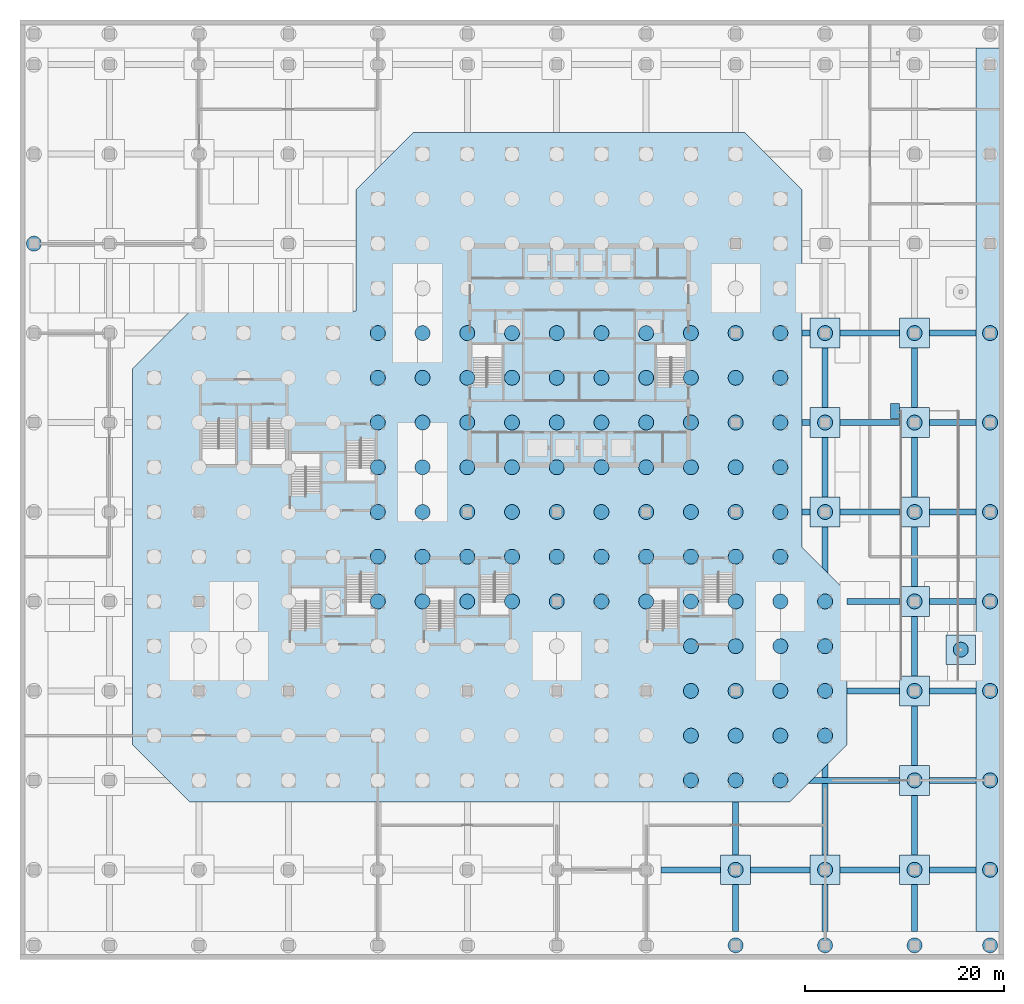
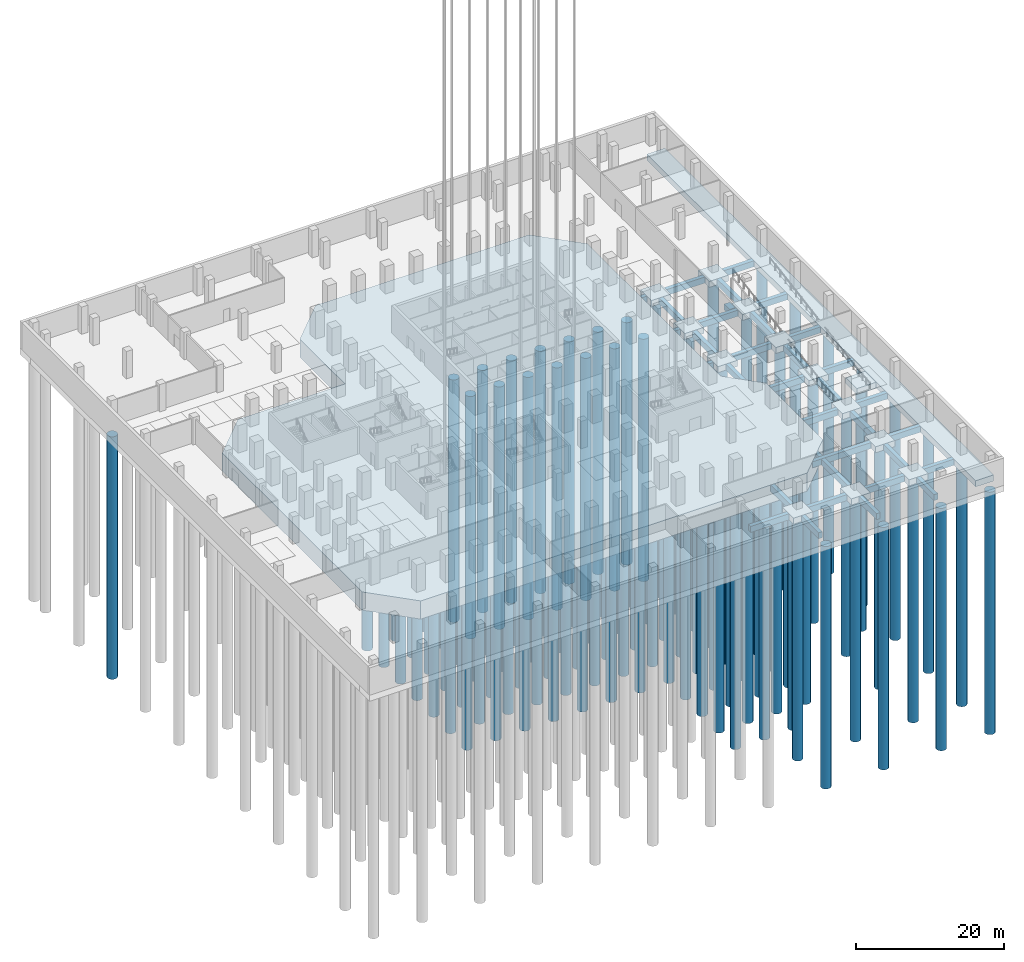
# One storey, part 2 of 37: 111 piles, 50 footings.
"""IFC4 building model written with IfcOpenShell, lengths in metres."""

from ifc_helpers import new_model, si_unit, direction, frame, origin, origin_2d, place, context, subcontext, project, spatial, polyline, rectangle, circle, outline, extrude, material, layer, layer_set, material_profile, profile_set, type_object, element, save


model = new_model("IFC4")

# Units and contexts
model_context = context("Model", 3, precision=1e-05, world=origin(), true_north=direction((0.0, 1.0)))
body_context = subcontext(model_context, "Body", "Model", "MODEL_VIEW")
ifc_project = project(units=[si_unit("LENGTHUNIT", "METRE"), si_unit("AREAUNIT", "SQUARE_METRE"), si_unit("VOLUMEUNIT", "CUBIC_METRE"), si_unit("PLANEANGLEUNIT", "RADIAN"), si_unit("MASSUNIT", "GRAM", prefix="KILO")], contexts=[model_context])

# Site, building, storey
site_placement = place(None, origin())
site = spatial("IfcSite", under=ifc_project, at=site_placement, CompositionType="ELEMENT")
building_placement = place(site_placement, origin())
building = spatial("IfcBuilding", under=site, at=building_placement, Name="Quoin Convention Tower", CompositionType="ELEMENT")
storey_placement = place(building_placement, frame((0.0, 0.0, -9.0)))
storey = spatial("IfcBuildingStorey", under=building, at=storey_placement, Name="B2", CompositionType="ELEMENT", Elevation=-9.0)

# Footings
ifc_material_1 = material(Name="Concrete C50", Category="concrete")
footing_type_1 = type_object("IfcFootingType", Name="PILE CAP 3000x3000x1000 C50", PredefinedType="PILE_CAP", material=ifc_material_1)
for number, where, z_axis, x_axis, name in (
    (1, (72.0, 9.0, -1.39990234375), (0.0, 0.0, 1.0), (1.0, 0.0, 0.0), "ftg-pad-72000_9000"),
    (2, (81.0, 9.0, -1.39990234375), (0.0, 0.0, 1.0), (1.0, 0.0, 0.0), "ftg-pad-81000_9000"),
    (3, (81.0, 45.0, -1.39990234375), (0.0, 0.0, 1.0), (1.0, 0.0, 0.0), "ftg-pad-81000_45000"),
    (4, (81.0, 54.0, -1.39990234375), (0.0, 0.0, 1.0), (1.0, 0.0, 0.0), "ftg-pad-81000_54000"),
    (5, (81.0, 63.0, -1.39990234375), (0.0, 0.0, 1.0), (1.0, 0.0, 0.0), "ftg-pad-81000_63000"),
    (6, (90.0, 9.0, -1.39990234375), (0.0, 0.0, 1.0), (1.0, 0.0, 0.0), "ftg-pad-90000_9000"),
    (7, (90.0, 18.0, -1.39990234375), (0.0, 0.0, 1.0), (1.0, 0.0, 0.0), "ftg-pad-90000_18000"),
    (8, (90.0, 27.0, -1.39990234375), (0.0, 0.0, 1.0), (1.0, 0.0, 0.0), "ftg-pad-90000_27000"),
    (9, (90.0, 36.0, -1.39990234375), (0.0, 0.0, 1.0), (1.0, 0.0, 0.0), "ftg-pad-90000_36000"),
    (10, (90.0, 45.0, -1.39990234375), (0.0, 0.0, 1.0), (1.0, 0.0, 0.0), "ftg-pad-90000_45000"),
    (11, (90.0, 54.0, -1.39990234375), (0.0, 0.0, 1.0), (1.0, 0.0, 0.0), "ftg-pad-90000_54000"),
    (12, (90.0, 63.0, -1.39990234375), (0.0, 0.0, 1.0), (1.0, 0.0, 0.0), "ftg-pad-90000_63000"),
    (13, (94.64990234375, 31.14990234375, -1.39990234375), (0.0, 0.0, 1.0), (1.0, 0.0, 0.0), "ftg-pad-rp2lo"),
):
    element("IfcFooting", number, at=place(storey_placement, frame(where, z_axis=z_axis, x_axis=x_axis)), inside=storey, type_object=footing_type_1, Name=name, PredefinedType="PILE_CAP", context=body_context, shape_type="SweptSolid", body=[
        extrude(rectangle(XDim=3.0, YDim=3.0, at=origin_2d()), origin(), (0.0, 0.0, 1.0), 1.0),
    ])

# Piles
ifc_material_2 = material(Name="Concrete C40", Category="concrete")
ifc_material_profile = material_profile(ifc_material_2, circle(Radius=0.75, at=origin_2d()), Name="D1500")
ifc_profile_set = profile_set([ifc_material_profile], Name="Concrete C40")
pile_type = type_object("IfcPileType", Name="PILE D1500 C40", PredefinedType="BORED", material=ifc_profile_set)
for number, where, z_axis, x_axis, name in (
    (14, (36.0, 36.0, -3.39990234375), (0.0, 0.0, -1.0), (1.0, 0.0, 0.0), "pile-R36000_36000"),
    (15, (36.0, 40.5, -3.39990234375), (0.0, 0.0, -1.0), (1.0, 0.0, 0.0), "pile-R36000_40500"),
    (16, (36.0, 45.0, -3.39990234375), (0.0, 0.0, -1.0), (1.0, 0.0, 0.0), "pile-R36000_45000"),
    (17, (36.0, 49.5, -3.39990234375), (0.0, 0.0, -1.0), (1.0, 0.0, 0.0), "pile-R36000_49500"),
    (18, (36.0, 54.0, -3.39990234375), (0.0, 0.0, -1.0), (1.0, 0.0, 0.0), "pile-R36000_54000"),
    (19, (36.0, 58.5, -3.39990234375), (0.0, 0.0, -1.0), (1.0, 0.0, 0.0), "pile-R36000_58500"),
    (20, (36.0, 63.0, -3.39990234375), (0.0, 0.0, -1.0), (1.0, 0.0, 0.0), "pile-R36000_63000"),
    (21, (40.5, 36.0, -3.39990234375), (0.0, 0.0, -1.0), (1.0, 0.0, 0.0), "pile-R40500_36000"),
    (22, (40.5, 40.5, -3.39990234375), (0.0, 0.0, -1.0), (1.0, 0.0, 0.0), "pile-R40500_40500"),
    (23, (40.5, 45.0, -3.39990234375), (0.0, 0.0, -1.0), (1.0, 0.0, 0.0), "pile-R40500_45000"),
    (24, (40.5, 49.5, -3.39990234375), (0.0, 0.0, -1.0), (1.0, 0.0, 0.0), "pile-R40500_49500"),
    (25, (40.5, 54.0, -3.39990234375), (0.0, 0.0, -1.0), (1.0, 0.0, 0.0), "pile-R40500_54000"),
    (26, (40.5, 58.5, -3.39990234375), (0.0, 0.0, -1.0), (1.0, 0.0, 0.0), "pile-R40500_58500"),
    (27, (40.5, 63.0, -3.39990234375), (0.0, 0.0, -1.0), (1.0, 0.0, 0.0), "pile-R40500_63000"),
    (28, (45.0, 36.0, -3.39990234375), (0.0, 0.0, -1.0), (1.0, 0.0, 0.0), "pile-R45000_36000"),
    (29, (45.0, 40.5, -3.39990234375), (0.0, 0.0, -1.0), (1.0, 0.0, 0.0), "pile-R45000_40500"),
    (30, (45.0, 45.0, -3.39990234375), (0.0, 0.0, -1.0), (1.0, 0.0, 0.0), "pile-R45000_45000"),
    (31, (45.0, 49.5, -3.39990234375), (0.0, 0.0, -1.0), (1.0, 0.0, 0.0), "pile-R45000_49500"),
    (32, (45.0, 54.0, -3.39990234375), (0.0, 0.0, -1.0), (1.0, 0.0, 0.0), "pile-R45000_54000"),
    (33, (45.0, 58.5, -3.39990234375), (0.0, 0.0, -1.0), (1.0, 0.0, 0.0), "pile-R45000_58500"),
    (34, (45.0, 63.0, -3.39990234375), (0.0, 0.0, -1.0), (1.0, 0.0, 0.0), "pile-R45000_63000"),
    (35, (49.5, 36.0, -3.39990234375), (0.0, 0.0, -1.0), (1.0, 0.0, 0.0), "pile-R49500_36000"),
    (36, (49.5, 40.5, -3.39990234375), (0.0, 0.0, -1.0), (1.0, 0.0, 0.0), "pile-R49500_40500"),
    (37, (49.5, 45.0, -3.39990234375), (0.0, 0.0, -1.0), (1.0, 0.0, 0.0), "pile-R49500_45000"),
    (38, (49.5, 49.5, -3.39990234375), (0.0, 0.0, -1.0), (1.0, 0.0, 0.0), "pile-R49500_49500"),
    (39, (49.5, 54.0, -3.39990234375), (0.0, 0.0, -1.0), (1.0, 0.0, 0.0), "pile-R49500_54000"),
    (40, (49.5, 58.5, -3.39990234375), (0.0, 0.0, -1.0), (1.0, 0.0, 0.0), "pile-R49500_58500"),
    (41, (49.5, 63.0, -3.39990234375), (0.0, 0.0, -1.0), (1.0, 0.0, 0.0), "pile-R49500_63000"),
    (42, (54.0, 36.0, -3.39990234375), (0.0, 0.0, -1.0), (1.0, 0.0, 0.0), "pile-R54000_36000"),
    (43, (54.0, 40.5, -3.39990234375), (0.0, 0.0, -1.0), (1.0, 0.0, 0.0), "pile-R54000_40500"),
    (44, (54.0, 45.0, -3.39990234375), (0.0, 0.0, -1.0), (1.0, 0.0, 0.0), "pile-R54000_45000"),
    (45, (54.0, 49.5, -3.39990234375), (0.0, 0.0, -1.0), (1.0, 0.0, 0.0), "pile-R54000_49500"),
    (46, (54.0, 54.0, -3.39990234375), (0.0, 0.0, -1.0), (1.0, 0.0, 0.0), "pile-R54000_54000"),
    (47, (54.0, 58.5, -3.39990234375), (0.0, 0.0, -1.0), (1.0, 0.0, 0.0), "pile-R54000_58500"),
    (48, (54.0, 63.0, -3.39990234375), (0.0, 0.0, -1.0), (1.0, 0.0, 0.0), "pile-R54000_63000"),
    (49, (58.5, 36.0, -3.39990234375), (0.0, 0.0, -1.0), (1.0, 0.0, 0.0), "pile-R58500_36000"),
    (50, (58.5, 40.5, -3.39990234375), (0.0, 0.0, -1.0), (1.0, 0.0, 0.0), "pile-R58500_40500"),
    (51, (58.5, 45.0, -3.39990234375), (0.0, 0.0, -1.0), (1.0, 0.0, 0.0), "pile-R58500_45000"),
    (52, (58.5, 49.5, -3.39990234375), (0.0, 0.0, -1.0), (1.0, 0.0, 0.0), "pile-R58500_49500"),
    (53, (58.5, 54.0, -3.39990234375), (0.0, 0.0, -1.0), (1.0, 0.0, 0.0), "pile-R58500_54000"),
    (54, (58.5, 58.5, -3.39990234375), (0.0, 0.0, -1.0), (1.0, 0.0, 0.0), "pile-R58500_58500"),
    (55, (58.5, 63.0, -3.39990234375), (0.0, 0.0, -1.0), (1.0, 0.0, 0.0), "pile-R58500_63000"),
    (56, (63.0, 36.0, -3.39990234375), (0.0, 0.0, -1.0), (1.0, 0.0, 0.0), "pile-R63000_36000"),
    (57, (63.0, 40.5, -3.39990234375), (0.0, 0.0, -1.0), (1.0, 0.0, 0.0), "pile-R63000_40500"),
    (58, (63.0, 45.0, -3.39990234375), (0.0, 0.0, -1.0), (1.0, 0.0, 0.0), "pile-R63000_45000"),
    (59, (63.0, 49.5, -3.39990234375), (0.0, 0.0, -1.0), (1.0, 0.0, 0.0), "pile-R63000_49500"),
    (60, (63.0, 54.0, -3.39990234375), (0.0, 0.0, -1.0), (1.0, 0.0, 0.0), "pile-R63000_54000"),
    (61, (63.0, 58.5, -3.39990234375), (0.0, 0.0, -1.0), (1.0, 0.0, 0.0), "pile-R63000_58500"),
    (62, (63.0, 63.0, -3.39990234375), (0.0, 0.0, -1.0), (1.0, 0.0, 0.0), "pile-R63000_63000"),
    (63, (67.5, 18.0, -3.39990234375), (0.0, 0.0, -1.0), (1.0, 0.0, 0.0), "pile-R67500_18000"),
    (64, (67.5, 22.5, -3.39990234375), (0.0, 0.0, -1.0), (1.0, 0.0, 0.0), "pile-R67500_22500"),
    (65, (67.5, 27.0, -3.39990234375), (0.0, 0.0, -1.0), (1.0, 0.0, 0.0), "pile-R67500_27000"),
    (66, (67.5, 31.5, -3.39990234375), (0.0, 0.0, -1.0), (1.0, 0.0, 0.0), "pile-R67500_31500"),
    (67, (67.5, 36.0, -3.39990234375), (0.0, 0.0, -1.0), (1.0, 0.0, 0.0), "pile-R67500_36000"),
    (68, (67.5, 40.5, -3.39990234375), (0.0, 0.0, -1.0), (1.0, 0.0, 0.0), "pile-R67500_40500"),
    (69, (67.5, 45.0, -3.39990234375), (0.0, 0.0, -1.0), (1.0, 0.0, 0.0), "pile-R67500_45000"),
    (70, (67.5, 49.5, -3.39990234375), (0.0, 0.0, -1.0), (1.0, 0.0, 0.0), "pile-R67500_49500"),
    (71, (67.5, 54.0, -3.39990234375), (0.0, 0.0, -1.0), (1.0, 0.0, 0.0), "pile-R67500_54000"),
    (72, (67.5, 58.5, -3.39990234375), (0.0, 0.0, -1.0), (1.0, 0.0, 0.0), "pile-R67500_58500"),
    (73, (67.5, 63.0, -3.39990234375), (0.0, 0.0, -1.0), (1.0, 0.0, 0.0), "pile-R67500_63000"),
    (74, (72.0, 18.0, -3.39990234375), (0.0, 0.0, -1.0), (1.0, 0.0, 0.0), "pile-R72000_18000"),
    (75, (72.0, 22.5, -3.39990234375), (0.0, 0.0, -1.0), (1.0, 0.0, 0.0), "pile-R72000_22500"),
    (76, (72.0, 27.0, -3.39990234375), (0.0, 0.0, -1.0), (1.0, 0.0, 0.0), "pile-R72000_27000"),
    (77, (72.0, 31.5, -3.39990234375), (0.0, 0.0, -1.0), (1.0, 0.0, 0.0), "pile-R72000_31500"),
    (78, (72.0, 36.0, -3.39990234375), (0.0, 0.0, -1.0), (1.0, 0.0, 0.0), "pile-R72000_36000"),
    (79, (72.0, 40.5, -3.39990234375), (0.0, 0.0, -1.0), (1.0, 0.0, 0.0), "pile-R72000_40500"),
    (80, (72.0, 45.0, -3.39990234375), (0.0, 0.0, -1.0), (1.0, 0.0, 0.0), "pile-R72000_45000"),
    (81, (72.0, 49.5, -3.39990234375), (0.0, 0.0, -1.0), (1.0, 0.0, 0.0), "pile-R72000_49500"),
    (82, (72.0, 54.0, -3.39990234375), (0.0, 0.0, -1.0), (1.0, 0.0, 0.0), "pile-R72000_54000"),
    (83, (72.0, 58.5, -3.39990234375), (0.0, 0.0, -1.0), (1.0, 0.0, 0.0), "pile-R72000_58500"),
    (84, (72.0, 63.0, -3.39990234375), (0.0, 0.0, -1.0), (1.0, 0.0, 0.0), "pile-R72000_63000"),
    (85, (76.5, 18.0, -3.39990234375), (0.0, 0.0, -1.0), (1.0, 0.0, 0.0), "pile-R76500_18000"),
    (86, (76.5, 22.5, -3.39990234375), (0.0, 0.0, -1.0), (1.0, 0.0, 0.0), "pile-R76500_22500"),
    (87, (76.5, 27.0, -3.39990234375), (0.0, 0.0, -1.0), (1.0, 0.0, 0.0), "pile-R76500_27000"),
    (88, (76.5, 31.5, -3.39990234375), (0.0, 0.0, -1.0), (1.0, 0.0, 0.0), "pile-R76500_31500"),
    (89, (76.5, 36.0, -3.39990234375), (0.0, 0.0, -1.0), (1.0, 0.0, 0.0), "pile-R76500_36000"),
    (90, (76.5, 40.5, -3.39990234375), (0.0, 0.0, -1.0), (1.0, 0.0, 0.0), "pile-R76500_40500"),
    (91, (76.5, 45.0, -3.39990234375), (0.0, 0.0, -1.0), (1.0, 0.0, 0.0), "pile-R76500_45000"),
    (92, (76.5, 49.5, -3.39990234375), (0.0, 0.0, -1.0), (1.0, 0.0, 0.0), "pile-R76500_49500"),
    (93, (76.5, 54.0, -3.39990234375), (0.0, 0.0, -1.0), (1.0, 0.0, 0.0), "pile-R76500_54000"),
    (94, (76.5, 58.5, -3.39990234375), (0.0, 0.0, -1.0), (1.0, 0.0, 0.0), "pile-R76500_58500"),
    (95, (76.5, 63.0, -3.39990234375), (0.0, 0.0, -1.0), (1.0, 0.0, 0.0), "pile-R76500_63000"),
    (96, (81.0, 22.5, -3.39990234375), (0.0, 0.0, -1.0), (1.0, 0.0, 0.0), "pile-R81000_22500"),
    (97, (81.0, 27.0, -3.39990234375), (0.0, 0.0, -1.0), (1.0, 0.0, 0.0), "pile-R81000_27000"),
    (98, (81.0, 31.5, -3.39990234375), (0.0, 0.0, -1.0), (1.0, 0.0, 0.0), "pile-R81000_31500"),
    (99, (81.0, 36.0, -3.39990234375), (0.0, 0.0, -1.0), (1.0, 0.0, 0.0), "pile-R81000_36000"),
    (100, (72.0, 1.39990234375, -1.39990234375), (0.0, 0.0, -1.0), (1.0, 0.0, 0.0), "pile-E72000_1400"),
    (101, (81.0, 1.39990234375, -1.39990234375), (0.0, 0.0, -1.0), (1.0, 0.0, 0.0), "pile-E81000_1400"),
    (102, (90.0, 1.39990234375, -1.39990234375), (0.0, 0.0, -1.0), (1.0, 0.0, 0.0), "pile-E90000_1400"),
    (103, (97.60009765625, 1.39990234375, -1.39990234375), (0.0, 0.0, -1.0), (1.0, 0.0, 0.0), "pile-E97600_1400"),
    (104, (97.60009765625, 9.0, -1.39990234375), (0.0, 0.0, -1.0), (1.0, 0.0, 0.0), "pile-E97600_9000"),
    (105, (97.60009765625, 18.0, -1.39990234375), (0.0, 0.0, -1.0), (1.0, 0.0, 0.0), "pile-E97600_18000"),
    (106, (97.60009765625, 27.0, -1.39990234375), (0.0, 0.0, -1.0), (1.0, 0.0, 0.0), "pile-E97600_27000"),
    (107, (97.60009765625, 36.0, -1.39990234375), (0.0, 0.0, -1.0), (1.0, 0.0, 0.0), "pile-E97600_36000"),
    (108, (97.60009765625, 45.0, -1.39990234375), (0.0, 0.0, -1.0), (1.0, 0.0, 0.0), "pile-E97600_45000"),
    (109, (97.60009765625, 54.0, -1.39990234375), (0.0, 0.0, -1.0), (1.0, 0.0, 0.0), "pile-E97600_54000"),
    (110, (97.60009765625, 63.0, -1.39990234375), (0.0, 0.0, -1.0), (1.0, 0.0, 0.0), "pile-E97600_63000"),
    (111, (1.39990234375, 72.0, -1.39990234375), (0.0, 0.0, -1.0), (1.0, 0.0, 0.0), "pile-E1400_72000"),
    (112, (72.0, 9.0, -1.39990234375), (0.0, 0.0, -1.0), (1.0, 0.0, 0.0), "pile-P72000_9000"),
    (113, (81.0, 9.0, -1.39990234375), (0.0, 0.0, -1.0), (1.0, 0.0, 0.0), "pile-P81000_9000"),
    (114, (81.0, 45.0, -1.39990234375), (0.0, 0.0, -1.0), (1.0, 0.0, 0.0), "pile-P81000_45000"),
    (115, (81.0, 54.0, -1.39990234375), (0.0, 0.0, -1.0), (1.0, 0.0, 0.0), "pile-P81000_54000"),
    (116, (81.0, 63.0, -1.39990234375), (0.0, 0.0, -1.0), (1.0, 0.0, 0.0), "pile-P81000_63000"),
    (117, (90.0, 9.0, -1.39990234375), (0.0, 0.0, -1.0), (1.0, 0.0, 0.0), "pile-P90000_9000"),
    (118, (90.0, 18.0, -1.39990234375), (0.0, 0.0, -1.0), (1.0, 0.0, 0.0), "pile-P90000_18000"),
    (119, (90.0, 27.0, -1.39990234375), (0.0, 0.0, -1.0), (1.0, 0.0, 0.0), "pile-P90000_27000"),
    (120, (90.0, 36.0, -1.39990234375), (0.0, 0.0, -1.0), (1.0, 0.0, 0.0), "pile-P90000_36000"),
    (121, (90.0, 45.0, -1.39990234375), (0.0, 0.0, -1.0), (1.0, 0.0, 0.0), "pile-P90000_45000"),
    (122, (90.0, 54.0, -1.39990234375), (0.0, 0.0, -1.0), (1.0, 0.0, 0.0), "pile-P90000_54000"),
    (123, (90.0, 63.0, -1.39990234375), (0.0, 0.0, -1.0), (1.0, 0.0, 0.0), "pile-P90000_63000"),
    (124, (94.64990234375, 31.14990234375, -1.39990234375), (0.0, 0.0, -1.0), (1.0, 0.0, 0.0), "pile-Prp2lo"),
):
    element("IfcPile", number, at=place(storey_placement, frame(where, z_axis=z_axis, x_axis=x_axis)), inside=storey, type_object=pile_type, Name=name, PredefinedType="BORED", context=body_context, shape_type="SweptSolid", body=[
        extrude(circle(Radius=0.75, at=origin_2d()), origin(), (0.0, 0.0, 1.0), 40.0),
    ])

# Footings
footing_type_2 = type_object("IfcFootingType", Name="POST FOOTING 900x1300x1000 C50", PredefinedType="PILE_CAP", material=ifc_material_1)
footing_1_placement = place(storey_placement, frame((88.050048828125, 55.14990234375, -1.39990234375), z_axis=(0.0, 0.0, 1.0), x_axis=(1.0, 0.0, 0.0)))
element("IfcFooting", 125, at=footing_1_placement, inside=storey, type_object=footing_type_2, Name="ftg-post-rp2hi", PredefinedType="PILE_CAP", context=body_context, shape_type="SweptSolid", body=[
    extrude(rectangle(XDim=0.89990234375, YDim=1.5, at=origin_2d()), origin(), (0.0, 0.0, 1.0), 1.0),
])
ifc_layer_1 = layer(ifc_material_1, 3.0)
ifc_layer_set_1 = layer_set([ifc_layer_1], Name="Concrete C50")
footing_type_3 = type_object("IfcFootingType", Name="RAFT 3000 C50", PredefinedType="PILE_CAP", material=ifc_layer_set_1)
footing_2_placement = place(storey_placement, frame((0.0, 0.0, -3.39990234375)))
element("IfcFooting", 126, at=footing_2_placement, inside=storey, type_object=footing_type_3, Name="ftg-raft", PredefinedType="PILE_CAP", context=body_context, shape_type="SweptSolid", body=[
    extrude(outline(polyline([(11.300048828125, 21.588623046875), (11.300048828125, 59.411376953125), (17.088623046875, 65.199951171875), (33.800048828125, 65.199951171875), (33.800048828125, 77.411376953125), (39.588623046875, 83.199951171875), (72.911376953125, 83.199951171875), (78.699951171875, 77.411376953125), (78.699951171875, 41.411376953125), (83.199951171875, 36.911376953125), (83.199951171875, 21.588623046875), (77.411376953125, 15.800048828125), (17.088623046875, 15.800048828125), (11.300048828125, 21.588623046875)])), origin(), (0.0, 0.0, 1.0), 3.0),
])
ifc_layer_2 = layer(ifc_material_1, 1.0)
ifc_layer_set_2 = layer_set([ifc_layer_2], Name="Concrete C50")
footing_type_4 = type_object("IfcFootingType", Name="STRIP FOOTING 2800 C50", PredefinedType="STRIP_FOOTING", material=ifc_layer_set_2)
footing_3_placement = place(storey_placement, frame((0.0, 0.0, -1.39990234375)))
element("IfcFooting", 127, at=footing_3_placement, inside=storey, type_object=footing_type_4, Name="ftg-strip-E", PredefinedType="STRIP_FOOTING", context=body_context, shape_type="SweptSolid", body=[
    extrude(outline(polyline([(96.199951171875, 2.800048828125), (99.0, 2.800048828125), (99.0, 91.699951171875), (96.199951171875, 91.699951171875), (96.199951171875, 2.800048828125)])), origin(), (0.0, 0.0, 1.0), 1.0),
])
ifc_layer_3 = layer(ifc_material_1, 1.0)
ifc_layer_set_3 = layer_set([ifc_layer_3], Name="Concrete C50")
footing_type_5 = type_object("IfcFootingType", Name="TIE FOOTING 600 C50", PredefinedType="STRIP_FOOTING", material=ifc_layer_set_3)
footing_4_placement = place(storey_placement, frame((0.0, 0.0, -1.39990234375)))
element("IfcFooting", 128, at=footing_4_placement, inside=storey, type_object=footing_type_5, Name="ftg-tie-93850_9000", PredefinedType="STRIP_FOOTING", context=body_context, shape_type="SweptSolid", body=[
    extrude(outline(polyline([(96.199951171875, 9.300048828125), (96.199951171875, 8.699951171875), (91.5, 8.699951171875), (91.5, 9.300048828125), (96.199951171875, 9.300048828125)])), origin(), (0.0, 0.0, 1.0), 1.0),
])
footing_5_placement = place(storey_placement, frame((0.0, 0.0, -1.39990234375)))
element("IfcFooting", 129, at=footing_5_placement, inside=storey, type_object=footing_type_5, Name="ftg-tie-85500_9000", PredefinedType="STRIP_FOOTING", context=body_context, shape_type="SweptSolid", body=[
    extrude(outline(polyline([(88.5, 9.300048828125), (88.5, 8.699951171875), (82.5, 8.699951171875), (82.5, 9.300048828125), (88.5, 9.300048828125)])), origin(), (0.0, 0.0, 1.0), 1.0),
])
footing_6_placement = place(storey_placement, frame((0.0, 0.0, -1.39990234375)))
element("IfcFooting", 130, at=footing_6_placement, inside=storey, type_object=footing_type_5, Name="ftg-tie-76500_9000", PredefinedType="STRIP_FOOTING", context=body_context, shape_type="SweptSolid", body=[
    extrude(outline(polyline([(79.5, 9.300048828125), (79.5, 8.699951171875), (73.5, 8.699951171875), (73.5, 9.300048828125), (79.5, 9.300048828125)])), origin(), (0.0, 0.0, 1.0), 1.0),
])
footing_7_placement = place(storey_placement, frame((0.0, 0.0, -1.39990234375)))
element("IfcFooting", 131, at=footing_7_placement, inside=storey, type_object=footing_type_5, Name="ftg-tie-67500_9000", PredefinedType="STRIP_FOOTING", context=body_context, shape_type="SweptSolid", body=[
    extrude(outline(polyline([(70.5, 9.300048828125), (70.5, 8.699951171875), (64.5, 8.699951171875), (64.5, 9.300048828125), (70.5, 9.300048828125)])), origin(), (0.0, 0.0, 1.0), 1.0),
])
footing_8_placement = place(storey_placement, frame((0.0, 0.0, -1.39990234375)))
element("IfcFooting", 132, at=footing_8_placement, inside=storey, type_object=footing_type_5, Name="ftg-tie-93850_18000", PredefinedType="STRIP_FOOTING", context=body_context, shape_type="SweptSolid", body=[
    extrude(outline(polyline([(96.199951171875, 17.699951171875), (91.5, 17.699951171875), (91.5, 18.300048828125), (96.199951171875, 18.300048828125), (96.199951171875, 17.699951171875)])), origin(), (0.0, 0.0, 1.0), 1.0),
])
footing_9_placement = place(storey_placement, frame((0.0, 0.0, -1.39990234375)))
element("IfcFooting", 133, at=footing_9_placement, inside=storey, type_object=footing_type_5, Name="ftg-tie-84054_17997", PredefinedType="STRIP_FOOTING", context=body_context, shape_type="SweptSolid", body=[
    extrude(outline(polyline([(88.5, 17.699951171875), (79.311279296875, 17.699951171875), (79.911376953125, 18.300048828125), (88.5, 18.300048828125), (88.5, 17.699951171875)])), origin(), (0.0, 0.0, 1.0), 1.0),
])
footing_10_placement = place(storey_placement, frame((0.0, 0.0, -1.39990234375)))
element("IfcFooting", 134, at=footing_10_placement, inside=storey, type_object=footing_type_5, Name="ftg-tie-93850_27000", PredefinedType="STRIP_FOOTING", context=body_context, shape_type="SweptSolid", body=[
    extrude(outline(polyline([(91.5, 26.699951171875), (91.5, 27.300048828125), (96.199951171875, 27.300048828125), (96.199951171875, 26.699951171875), (91.5, 26.699951171875)])), origin(), (0.0, 0.0, 1.0), 1.0),
])
footing_11_placement = place(storey_placement, frame((0.0, 0.0, -1.39990234375)))
element("IfcFooting", 135, at=footing_11_placement, inside=storey, type_object=footing_type_5, Name="ftg-tie-85850_27000", PredefinedType="STRIP_FOOTING", context=body_context, shape_type="SweptSolid", body=[
    extrude(outline(polyline([(83.199951171875, 26.699951171875), (83.199951171875, 27.300048828125), (88.5, 27.300048828125), (88.5, 26.699951171875), (83.199951171875, 26.699951171875)])), origin(), (0.0, 0.0, 1.0), 1.0),
])
footing_12_placement = place(storey_placement, frame((0.0, 0.0, -1.39990234375)))
element("IfcFooting", 136, at=footing_12_placement, inside=storey, type_object=footing_type_5, Name="ftg-tie-93850_36000", PredefinedType="STRIP_FOOTING", context=body_context, shape_type="SweptSolid", body=[
    extrude(outline(polyline([(91.5, 36.300048828125), (96.199951171875, 36.300048828125), (96.199951171875, 35.699951171875), (91.5, 35.699951171875), (91.5, 36.300048828125)])), origin(), (0.0, 0.0, 1.0), 1.0),
])
footing_13_placement = place(storey_placement, frame((0.0, 0.0, -1.39990234375)))
element("IfcFooting", 137, at=footing_13_placement, inside=storey, type_object=footing_type_5, Name="ftg-tie-85850_36000", PredefinedType="STRIP_FOOTING", context=body_context, shape_type="SweptSolid", body=[
    extrude(outline(polyline([(83.199951171875, 36.300048828125), (88.5, 36.300048828125), (88.5, 35.699951171875), (83.199951171875, 35.699951171875), (83.199951171875, 36.300048828125)])), origin(), (0.0, 0.0, 1.0), 1.0),
])
footing_14_placement = place(storey_placement, frame((0.0, 0.0, -1.39990234375)))
element("IfcFooting", 138, at=footing_14_placement, inside=storey, type_object=footing_type_5, Name="ftg-tie-93850_45000", PredefinedType="STRIP_FOOTING", context=body_context, shape_type="SweptSolid", body=[
    extrude(outline(polyline([(91.5, 44.699951171875), (91.5, 45.300048828125), (96.199951171875, 45.300048828125), (96.199951171875, 44.699951171875), (91.5, 44.699951171875)])), origin(), (0.0, 0.0, 1.0), 1.0),
])
footing_15_placement = place(storey_placement, frame((0.0, 0.0, -1.39990234375)))
element("IfcFooting", 139, at=footing_15_placement, inside=storey, type_object=footing_type_5, Name="ftg-tie-85500_45000", PredefinedType="STRIP_FOOTING", context=body_context, shape_type="SweptSolid", body=[
    extrude(outline(polyline([(82.5, 44.699951171875), (82.5, 45.300048828125), (88.5, 45.300048828125), (88.5, 44.699951171875), (82.5, 44.699951171875)])), origin(), (0.0, 0.0, 1.0), 1.0),
])
footing_16_placement = place(storey_placement, frame((0.0, 0.0, -1.39990234375)))
element("IfcFooting", 140, at=footing_16_placement, inside=storey, type_object=footing_type_5, Name="ftg-tie-79100_45000", PredefinedType="STRIP_FOOTING", context=body_context, shape_type="SweptSolid", body=[
    extrude(outline(polyline([(78.699951171875, 44.699951171875), (78.699951171875, 45.300048828125), (79.5, 45.300048828125), (79.5, 44.699951171875), (78.699951171875, 44.699951171875)])), origin(), (0.0, 0.0, 1.0), 1.0),
])
footing_17_placement = place(storey_placement, frame((0.0, 0.0, -1.39990234375)))
element("IfcFooting", 141, at=footing_17_placement, inside=storey, type_object=footing_type_5, Name="ftg-tie-93850_54000", PredefinedType="STRIP_FOOTING", context=body_context, shape_type="SweptSolid", body=[
    extrude(outline(polyline([(91.5, 53.699951171875), (91.5, 54.300048828125), (96.199951171875, 54.300048828125), (96.199951171875, 53.699951171875), (91.5, 53.699951171875)])), origin(), (0.0, 0.0, 1.0), 1.0),
])
footing_18_placement = place(storey_placement, frame((0.0, 0.0, -1.39990234375)))
element("IfcFooting", 142, at=footing_18_placement, inside=storey, type_object=footing_type_5, Name="ftg-tie-85500_54000", PredefinedType="STRIP_FOOTING", context=body_context, shape_type="SweptSolid", body=[
    extrude(outline(polyline([(82.5, 53.699951171875), (82.5, 54.300048828125), (88.5, 54.300048828125), (88.5, 53.699951171875), (82.5, 53.699951171875)])), origin(), (0.0, 0.0, 1.0), 1.0),
])
footing_19_placement = place(storey_placement, frame((0.0, 0.0, -1.39990234375)))
element("IfcFooting", 143, at=footing_19_placement, inside=storey, type_object=footing_type_5, Name="ftg-tie-79100_54000", PredefinedType="STRIP_FOOTING", context=body_context, shape_type="SweptSolid", body=[
    extrude(outline(polyline([(78.699951171875, 53.699951171875), (78.699951171875, 54.300048828125), (79.5, 54.300048828125), (79.5, 53.699951171875), (78.699951171875, 53.699951171875)])), origin(), (0.0, 0.0, 1.0), 1.0),
])
footing_20_placement = place(storey_placement, frame((0.0, 0.0, -1.39990234375)))
element("IfcFooting", 144, at=footing_20_placement, inside=storey, type_object=footing_type_5, Name="ftg-tie-93850_63000", PredefinedType="STRIP_FOOTING", context=body_context, shape_type="SweptSolid", body=[
    extrude(outline(polyline([(91.5, 62.699951171875), (91.5, 63.300048828125), (96.199951171875, 63.300048828125), (96.199951171875, 62.699951171875), (91.5, 62.699951171875)])), origin(), (0.0, 0.0, 1.0), 1.0),
])
footing_21_placement = place(storey_placement, frame((0.0, 0.0, -1.39990234375)))
element("IfcFooting", 145, at=footing_21_placement, inside=storey, type_object=footing_type_5, Name="ftg-tie-85500_63000", PredefinedType="STRIP_FOOTING", context=body_context, shape_type="SweptSolid", body=[
    extrude(outline(polyline([(82.5, 62.699951171875), (82.5, 63.300048828125), (88.5, 63.300048828125), (88.5, 62.699951171875), (82.5, 62.699951171875)])), origin(), (0.0, 0.0, 1.0), 1.0),
])
footing_22_placement = place(storey_placement, frame((0.0, 0.0, -1.39990234375)))
element("IfcFooting", 146, at=footing_22_placement, inside=storey, type_object=footing_type_5, Name="ftg-tie-79100_63000", PredefinedType="STRIP_FOOTING", context=body_context, shape_type="SweptSolid", body=[
    extrude(outline(polyline([(78.699951171875, 62.699951171875), (78.699951171875, 63.300048828125), (79.5, 63.300048828125), (79.5, 62.699951171875), (78.699951171875, 62.699951171875)])), origin(), (0.0, 0.0, 1.0), 1.0),
])
footing_23_placement = place(storey_placement, frame((0.0, 0.0, -1.39990234375)))
element("IfcFooting", 147, at=footing_23_placement, inside=storey, type_object=footing_type_5, Name="ftg-tie-72000_5150", PredefinedType="STRIP_FOOTING", context=body_context, shape_type="SweptSolid", body=[
    extrude(outline(polyline([(71.699951171875, 2.800048828125), (71.699951171875, 7.5), (72.300048828125, 7.5), (72.300048828125, 2.800048828125), (71.699951171875, 2.800048828125)])), origin(), (0.0, 0.0, 1.0), 1.0),
])
footing_24_placement = place(storey_placement, frame((0.0, 0.0, -1.39990234375)))
element("IfcFooting", 148, at=footing_24_placement, inside=storey, type_object=footing_type_5, Name="ftg-tie-72000_13150", PredefinedType="STRIP_FOOTING", context=body_context, shape_type="SweptSolid", body=[
    extrude(outline(polyline([(71.699951171875, 10.5), (71.699951171875, 15.800048828125), (72.300048828125, 15.800048828125), (72.300048828125, 10.5), (71.699951171875, 10.5)])), origin(), (0.0, 0.0, 1.0), 1.0),
])
footing_25_placement = place(storey_placement, frame((0.0, 0.0, -1.39990234375)))
element("IfcFooting", 149, at=footing_25_placement, inside=storey, type_object=footing_type_5, Name="ftg-tie-81000_5150", PredefinedType="STRIP_FOOTING", context=body_context, shape_type="SweptSolid", body=[
    extrude(outline(polyline([(81.300048828125, 2.800048828125), (80.699951171875, 2.800048828125), (80.699951171875, 7.5), (81.300048828125, 7.5), (81.300048828125, 2.800048828125)])), origin(), (0.0, 0.0, 1.0), 1.0),
])
footing_26_placement = place(storey_placement, frame((0.0, 0.0, -1.39990234375)))
element("IfcFooting", 150, at=footing_26_placement, inside=storey, type_object=footing_type_5, Name="ftg-tie-81028_18858", PredefinedType="STRIP_FOOTING", context=body_context, shape_type="SweptSolid", body=[
    extrude(outline(polyline([(81.300048828125, 18.300048828125), (80.699951171875, 18.300048828125), (80.699951171875, 19.088623046875), (81.300048828125, 19.688720703125), (81.300048828125, 18.300048828125)])), origin(), (0.0, 0.0, 1.0), 1.0),
])
footing_27_placement = place(storey_placement, frame((0.0, 0.0, -1.39990234375)))
element("IfcFooting", 151, at=footing_27_placement, inside=storey, type_object=footing_type_5, Name="ftg-tie-81000_14100", PredefinedType="STRIP_FOOTING", context=body_context, shape_type="SweptSolid", body=[
    extrude(outline(polyline([(80.699951171875, 10.5), (80.699951171875, 17.699951171875), (81.300048828125, 17.699951171875), (81.300048828125, 10.5), (80.699951171875, 10.5)])), origin(), (0.0, 0.0, 1.0), 1.0),
])
footing_28_placement = place(storey_placement, frame((0.0, 0.0, -1.39990234375)))
element("IfcFooting", 152, at=footing_28_placement, inside=storey, type_object=footing_type_5, Name="ftg-tie-81007_41302", PredefinedType="STRIP_FOOTING", context=body_context, shape_type="SweptSolid", body=[
    extrude(outline(polyline([(81.300048828125, 38.811279296875), (80.699951171875, 39.411376953125), (80.699951171875, 43.5), (81.300048828125, 43.5), (81.300048828125, 38.811279296875)])), origin(), (0.0, 0.0, 1.0), 1.0),
])
footing_29_placement = place(storey_placement, frame((0.0, 0.0, -1.39990234375)))
element("IfcFooting", 153, at=footing_29_placement, inside=storey, type_object=footing_type_5, Name="ftg-tie-81000_49500", PredefinedType="STRIP_FOOTING", context=body_context, shape_type="SweptSolid", body=[
    extrude(outline(polyline([(81.300048828125, 46.5), (80.699951171875, 46.5), (80.699951171875, 52.5), (81.300048828125, 52.5), (81.300048828125, 46.5)])), origin(), (0.0, 0.0, 1.0), 1.0),
])
footing_30_placement = place(storey_placement, frame((0.0, 0.0, -1.39990234375)))
element("IfcFooting", 154, at=footing_30_placement, inside=storey, type_object=footing_type_5, Name="ftg-tie-81000_58500", PredefinedType="STRIP_FOOTING", context=body_context, shape_type="SweptSolid", body=[
    extrude(outline(polyline([(81.300048828125, 55.5), (80.699951171875, 55.5), (80.699951171875, 61.5), (81.300048828125, 61.5), (81.300048828125, 55.5)])), origin(), (0.0, 0.0, 1.0), 1.0),
])
footing_31_placement = place(storey_placement, frame((0.0, 0.0, -1.39990234375)))
element("IfcFooting", 155, at=footing_31_placement, inside=storey, type_object=footing_type_5, Name="ftg-tie-90000_5150", PredefinedType="STRIP_FOOTING", context=body_context, shape_type="SweptSolid", body=[
    extrude(outline(polyline([(90.300048828125, 2.800048828125), (89.699951171875, 2.800048828125), (89.699951171875, 7.5), (90.300048828125, 7.5), (90.300048828125, 2.800048828125)])), origin(), (0.0, 0.0, 1.0), 1.0),
])
footing_32_placement = place(storey_placement, frame((0.0, 0.0, -1.39990234375)))
element("IfcFooting", 156, at=footing_32_placement, inside=storey, type_object=footing_type_5, Name="ftg-tie-90000_13500", PredefinedType="STRIP_FOOTING", context=body_context, shape_type="SweptSolid", body=[
    extrude(outline(polyline([(90.300048828125, 10.5), (89.699951171875, 10.5), (89.699951171875, 16.5), (90.300048828125, 16.5), (90.300048828125, 10.5)])), origin(), (0.0, 0.0, 1.0), 1.0),
])
footing_33_placement = place(storey_placement, frame((0.0, 0.0, -1.39990234375)))
element("IfcFooting", 157, at=footing_33_placement, inside=storey, type_object=footing_type_5, Name="ftg-tie-90000_22500", PredefinedType="STRIP_FOOTING", context=body_context, shape_type="SweptSolid", body=[
    extrude(outline(polyline([(90.300048828125, 19.5), (89.699951171875, 19.5), (89.699951171875, 25.5), (90.300048828125, 25.5), (90.300048828125, 19.5)])), origin(), (0.0, 0.0, 1.0), 1.0),
])
footing_34_placement = place(storey_placement, frame((0.0, 0.0, -1.39990234375)))
element("IfcFooting", 158, at=footing_34_placement, inside=storey, type_object=footing_type_5, Name="ftg-tie-90000_31500", PredefinedType="STRIP_FOOTING", context=body_context, shape_type="SweptSolid", body=[
    extrude(outline(polyline([(90.300048828125, 28.5), (89.699951171875, 28.5), (89.699951171875, 34.5), (90.300048828125, 34.5), (90.300048828125, 28.5)])), origin(), (0.0, 0.0, 1.0), 1.0),
])
footing_35_placement = place(storey_placement, frame((0.0, 0.0, -1.39990234375)))
element("IfcFooting", 159, at=footing_35_placement, inside=storey, type_object=footing_type_5, Name="ftg-tie-90000_40500", PredefinedType="STRIP_FOOTING", context=body_context, shape_type="SweptSolid", body=[
    extrude(outline(polyline([(90.300048828125, 37.5), (89.699951171875, 37.5), (89.699951171875, 43.5), (90.300048828125, 43.5), (90.300048828125, 37.5)])), origin(), (0.0, 0.0, 1.0), 1.0),
])
footing_36_placement = place(storey_placement, frame((0.0, 0.0, -1.39990234375)))
element("IfcFooting", 160, at=footing_36_placement, inside=storey, type_object=footing_type_5, Name="ftg-tie-90000_49500", PredefinedType="STRIP_FOOTING", context=body_context, shape_type="SweptSolid", body=[
    extrude(outline(polyline([(90.300048828125, 46.5), (89.699951171875, 46.5), (89.699951171875, 52.5), (90.300048828125, 52.5), (90.300048828125, 46.5)])), origin(), (0.0, 0.0, 1.0), 1.0),
])
footing_37_placement = place(storey_placement, frame((0.0, 0.0, -1.39990234375)))
element("IfcFooting", 161, at=footing_37_placement, inside=storey, type_object=footing_type_5, Name="ftg-tie-90000_58500", PredefinedType="STRIP_FOOTING", context=body_context, shape_type="SweptSolid", body=[
    extrude(outline(polyline([(90.300048828125, 55.5), (89.699951171875, 55.5), (89.699951171875, 61.5), (90.300048828125, 61.5), (90.300048828125, 55.5)])), origin(), (0.0, 0.0, 1.0), 1.0),
])

save(model, "model.ifc")
